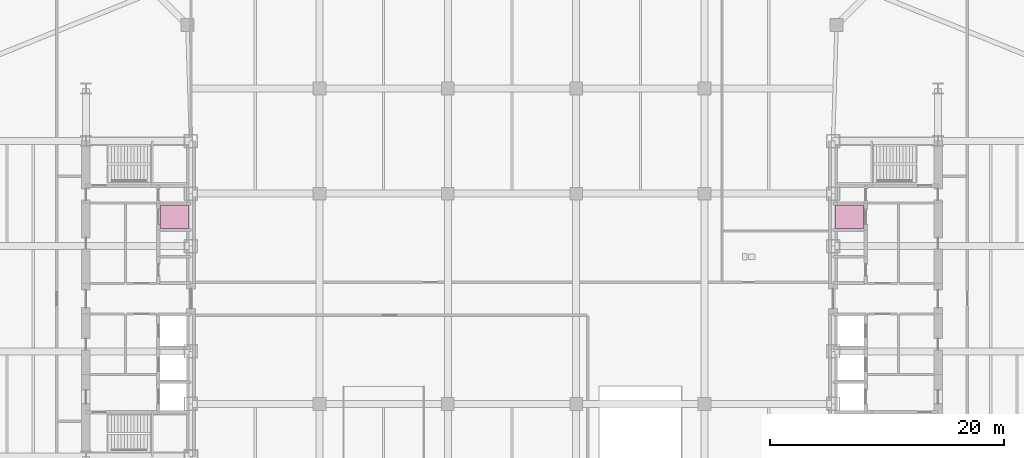
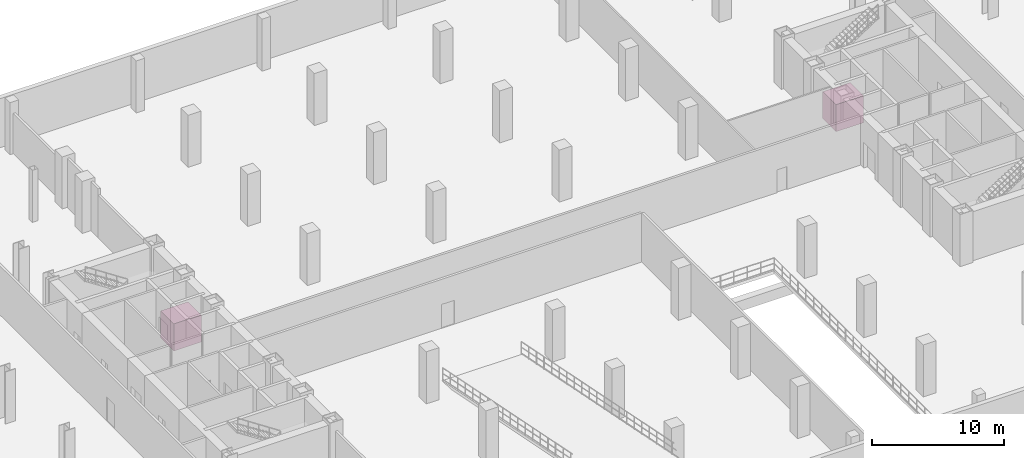
# One storey, part 18 of 18: 2 transport elements.
"""IFC4 building model written with IfcOpenShell, lengths in metres."""

from ifc_helpers import new_model, si_unit, direction, frame, origin, origin_2d, place, context, subcontext, project, spatial, rectangle, extrude, source, transform, mapped, material, type_object, type_shapes, element, save


model = new_model("IFC4")

# Units and contexts
model_context = context("Model", 3, precision=1e-05, world=origin(), true_north=direction((0.0, 1.0)))
body_context = subcontext(model_context, "Body", "Model", "MODEL_VIEW")
ifc_project = project(units=[si_unit("LENGTHUNIT", "METRE"), si_unit("AREAUNIT", "SQUARE_METRE"), si_unit("VOLUMEUNIT", "CUBIC_METRE"), si_unit("PLANEANGLEUNIT", "RADIAN"), si_unit("MASSUNIT", "GRAM", prefix="KILO")], contexts=[model_context])

# Site, building, storey
site_placement = place(None, origin())
site = spatial("IfcSite", under=ifc_project, at=site_placement, CompositionType="ELEMENT")
building_placement = place(site_placement, origin())
building = spatial("IfcBuilding", under=site, at=building_placement, Name="Seokmaru Belvedere", CompositionType="ELEMENT")
storey_placement = place(building_placement, frame((0.0, 0.0, -4.800048828125)))
storey = spatial("IfcBuildingStorey", under=building, at=storey_placement, Name="B1", CompositionType="ELEMENT", Elevation=-4.800048828125)

# Transport elements
ifc_material = material(Name="Stainless Steel 316", Category="steel")
transport_element_type = type_object("IfcTransportElementType", Name="Express Observation Shuttle Lift Car 2000x2400", PredefinedType="ELEVATOR", material=ifc_material)
shared_shape = source(origin(), body_context, "Body", "SweptSolid", [
    extrude(rectangle(XDim=2.39990234375, YDim=2.0, at=origin_2d()), origin(), (0.0, 0.0, 1.0), 2.5),
])
type_shapes(transport_element_type, [shared_shape])
for number, where, z_axis, x_axis, name in (
    (1, (-28.89990234375, 7.02001953125, 0.0), (0.0, 0.0, 1.0), (1.0, 0.0, 0.0), "Express Observation Shuttle Lift OBS-W1"),
    (2, (28.89990234375, 7.02001953125, 0.0), (0.0, 0.0, 1.0), (1.0, 0.0, 0.0), "Express Observation Shuttle Lift OBS-E1"),
):
    element("IfcTransportElement", number, at=place(storey_placement, frame(where, z_axis=z_axis, x_axis=x_axis)), inside=storey, type_object=transport_element_type, Name=name, PredefinedType="ELEVATOR", context=body_context, shape_type="MappedRepresentation", body=[
        mapped(shared_shape, transform((0.0, 0.0, 0.0), scale=1.0)),
    ])

save(model, "model.ifc")
